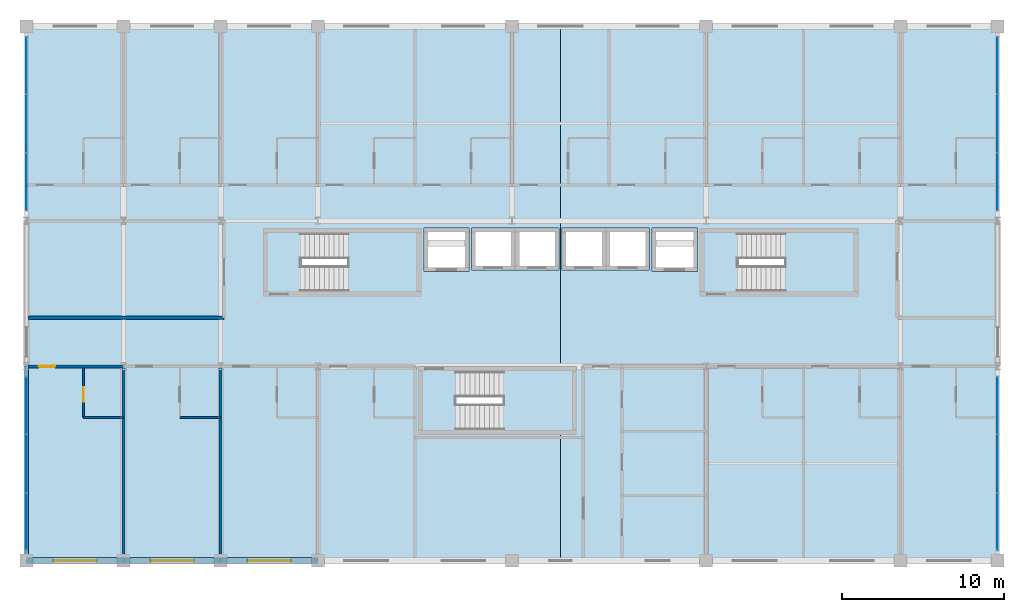
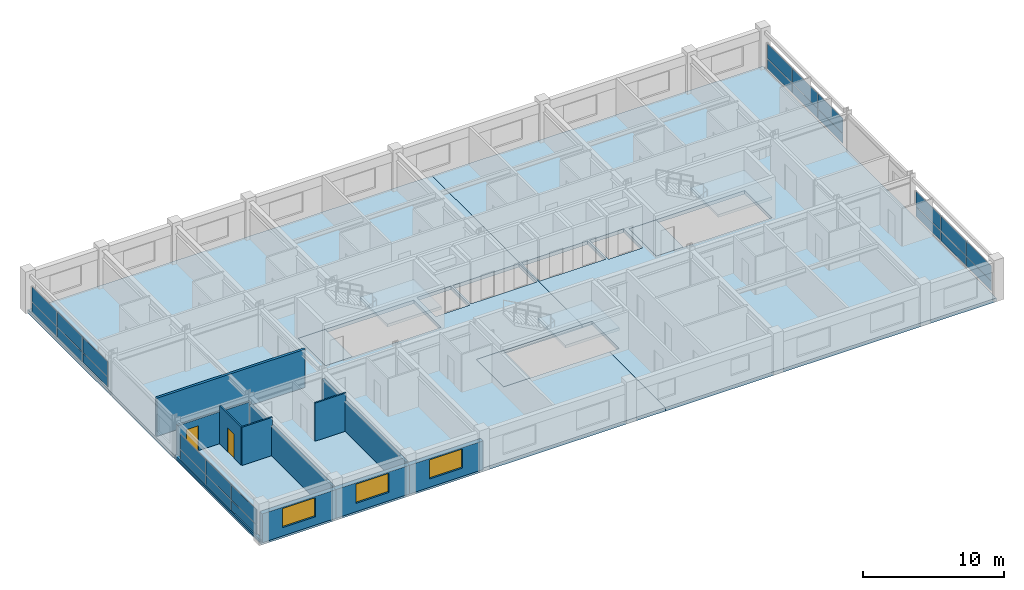
# One storey, part 20 of 26: 24 plates, 11 walls, 8 slabs, 3 windows, 2 doors, 5 openings, 7 elements without a shape of their own.
"""IFC4 building model written with IfcOpenShell, lengths in metres."""

from ifc_helpers import new_model, si_unit, direction, frame, frame_2d, origin, origin_2d, place, context, subcontext, project, spatial, polyline, rectangle, outline, extrude, material, layer, layer_set, type_object, element, fill, aggregate, save


model = new_model("IFC4")

# Units and contexts
model_context = context("Model", 3, precision=1e-05, world=origin(), true_north=direction((0.0, 1.0)))
body_context = subcontext(model_context, "Body", "Model", "MODEL_VIEW")
ifc_project = project(units=[si_unit("LENGTHUNIT", "METRE"), si_unit("AREAUNIT", "SQUARE_METRE"), si_unit("VOLUMEUNIT", "CUBIC_METRE"), si_unit("PLANEANGLEUNIT", "RADIAN"), si_unit("MASSUNIT", "GRAM", prefix="KILO")], contexts=[model_context])

# Site, building, storey
site_placement = place(None, origin())
site = spatial("IfcSite", under=ifc_project, at=site_placement, CompositionType="ELEMENT")
building_placement = place(site_placement, origin())
building = spatial("IfcBuilding", under=site, at=building_placement, Name="Kaldorvane Square Convention Centre", CompositionType="ELEMENT")
storey_placement = place(building_placement, frame((0.0, 0.0, 45.600006103515625)))
storey = spatial("IfcBuildingStorey", under=building, at=storey_placement, Name="L10", CompositionType="ELEMENT", Elevation=45.600006103515625)

# Curtain wall, plates
ifc_material_1 = material(Name="Anodized Aluminum and Low-E Insulated Glazing", Category="aluminium")
curtain_wall_type_1 = type_object("IfcCurtainWallType", Name="CW-UNI-HTL-A", PredefinedType="USERDEFINED", material=ifc_material_1)
curtain_wall_1_placement = place(storey_placement, origin())
curtain_wall_1 = element("IfcCurtainWall", 1, at=curtain_wall_1_placement, inside=storey, type_object=curtain_wall_type_1, Name="Curtain Wall CW-10 (L10)", ObjectType="UNITISED GLAZING", PredefinedType="USERDEFINED")
ifc_layer_1 = layer(ifc_material_1, 0.0240020751953125)
ifc_layer_set_1 = layer_set([ifc_layer_1], Name="Anodized Aluminum and Low-E Insulated Glazing")
plate_type_1 = type_object("IfcPlateType", Name="CW-PNL-11", PredefinedType="CURTAIN_PANEL", material=ifc_layer_set_1)
plate_1_placement = place(storey_placement, frame((84.0, 86.41499328613281, 0.204986572265625), z_axis=(0.0, 0.0, 1.0), x_axis=(0.0, 1.0, 0.0)))
plate_1 = element("IfcPlate", 2, at=plate_1_placement, type_object=plate_type_1, Name="CW-10 panel 1.1", PredefinedType="CURTAIN_PANEL", context=body_context, shape_type="SweptSolid", body=[
    extrude(rectangle(XDim=3.5099945068359375, YDim=0.0240020751953125, at=origin_2d()), origin(), (0.0, 0.0, 1.0), 0.8175048828125),
])
plate_2_placement = place(storey_placement, frame((84.0, 86.41499328613281, 1.0774993896484375), z_axis=(0.0, 0.0, 1.0), x_axis=(0.0, 1.0, 0.0)))
plate_2 = element("IfcPlate", 3, at=plate_2_placement, type_object=plate_type_1, Name="CW-10 panel 1.2", PredefinedType="CURTAIN_PANEL", context=body_context, shape_type="SweptSolid", body=[
    extrude(rectangle(XDim=3.5099945068359375, YDim=0.0240020751953125, at=origin_2d()), origin(), (0.0, 0.0, 1.0), 1.277496337890625),
])
plate_3_placement = place(storey_placement, frame((84.0, 90.0, 0.204986572265625), z_axis=(0.0, 0.0, 1.0), x_axis=(0.0, 1.0, 0.0)))
plate_3 = element("IfcPlate", 4, at=plate_3_placement, type_object=plate_type_1, Name="CW-10 panel 2.1", PredefinedType="CURTAIN_PANEL", context=body_context, shape_type="SweptSolid", body=[
    extrude(rectangle(XDim=3.5399932861328125, YDim=0.0240020751953125, at=origin_2d()), origin(), (0.0, 0.0, 1.0), 0.8175048828125),
])
plate_4_placement = place(storey_placement, frame((84.0, 90.0, 1.0774993896484375), z_axis=(0.0, 0.0, 1.0), x_axis=(0.0, 1.0, 0.0)))
plate_4 = element("IfcPlate", 5, at=plate_4_placement, type_object=plate_type_1, Name="CW-10 panel 2.2", PredefinedType="CURTAIN_PANEL", context=body_context, shape_type="SweptSolid", body=[
    extrude(rectangle(XDim=3.5399932861328125, YDim=0.0240020751953125, at=origin_2d()), origin(), (0.0, 0.0, 1.0), 1.277496337890625),
])
plate_5_placement = place(storey_placement, frame((84.0, 93.58500671386719, 0.204986572265625), z_axis=(0.0, 0.0, 1.0), x_axis=(0.0, 1.0, 0.0)))
plate_5 = element("IfcPlate", 6, at=plate_5_placement, type_object=plate_type_1, Name="CW-10 panel 3.1", PredefinedType="CURTAIN_PANEL", context=body_context, shape_type="SweptSolid", body=[
    extrude(rectangle(XDim=3.5099945068359375, YDim=0.0240020751953125, at=origin_2d()), origin(), (0.0, 0.0, 1.0), 0.8175048828125),
])
plate_6_placement = place(storey_placement, frame((84.0, 93.58500671386719, 1.0774993896484375), z_axis=(0.0, 0.0, 1.0), x_axis=(0.0, 1.0, 0.0)))
plate_6 = element("IfcPlate", 7, at=plate_6_placement, type_object=plate_type_1, Name="CW-10 panel 3.2", PredefinedType="CURTAIN_PANEL", context=body_context, shape_type="SweptSolid", body=[
    extrude(rectangle(XDim=3.5099945068359375, YDim=0.0240020751953125, at=origin_2d()), origin(), (0.0, 0.0, 1.0), 1.277496337890625),
])
aggregate(curtain_wall_1, [plate_1, plate_2, plate_3, plate_4, plate_5, plate_6])

curtain_wall_2_placement = place(storey_placement, origin())
curtain_wall_2 = element("IfcCurtainWall", 8, at=curtain_wall_2_placement, inside=storey, type_object=curtain_wall_type_1, Name="Curtain Wall CW-10 (L10)", ObjectType="UNITISED GLAZING", PredefinedType="USERDEFINED")
plate_7_placement = place(storey_placement, frame((84.0, 107.41499328613281, 0.204986572265625), z_axis=(0.0, 0.0, 1.0), x_axis=(0.0, 1.0, 0.0)))
plate_7 = element("IfcPlate", 9, at=plate_7_placement, type_object=plate_type_1, Name="CW-10 panel 1.1", PredefinedType="CURTAIN_PANEL", context=body_context, shape_type="SweptSolid", body=[
    extrude(rectangle(XDim=3.5099945068359375, YDim=0.0240020751953125, at=origin_2d()), origin(), (0.0, 0.0, 1.0), 0.8175048828125),
])
plate_8_placement = place(storey_placement, frame((84.0, 107.41499328613281, 1.0774993896484375), z_axis=(0.0, 0.0, 1.0), x_axis=(0.0, 1.0, 0.0)))
plate_8 = element("IfcPlate", 10, at=plate_8_placement, type_object=plate_type_1, Name="CW-10 panel 1.2", PredefinedType="CURTAIN_PANEL", context=body_context, shape_type="SweptSolid", body=[
    extrude(rectangle(XDim=3.5099945068359375, YDim=0.0240020751953125, at=origin_2d()), origin(), (0.0, 0.0, 1.0), 1.277496337890625),
])
plate_9_placement = place(storey_placement, frame((84.0, 111.0, 0.204986572265625), z_axis=(0.0, 0.0, 1.0), x_axis=(0.0, 1.0, 0.0)))
plate_9 = element("IfcPlate", 11, at=plate_9_placement, type_object=plate_type_1, Name="CW-10 panel 2.1", PredefinedType="CURTAIN_PANEL", context=body_context, shape_type="SweptSolid", body=[
    extrude(rectangle(XDim=3.5399932861328125, YDim=0.0240020751953125, at=origin_2d()), origin(), (0.0, 0.0, 1.0), 0.8175048828125),
])
plate_10_placement = place(storey_placement, frame((84.0, 111.0, 1.0774993896484375), z_axis=(0.0, 0.0, 1.0), x_axis=(0.0, 1.0, 0.0)))
plate_10 = element("IfcPlate", 12, at=plate_10_placement, type_object=plate_type_1, Name="CW-10 panel 2.2", PredefinedType="CURTAIN_PANEL", context=body_context, shape_type="SweptSolid", body=[
    extrude(rectangle(XDim=3.5399932861328125, YDim=0.0240020751953125, at=origin_2d()), origin(), (0.0, 0.0, 1.0), 1.277496337890625),
])
plate_11_placement = place(storey_placement, frame((84.0, 114.58500671386719, 0.204986572265625), z_axis=(0.0, 0.0, 1.0), x_axis=(0.0, 1.0, 0.0)))
plate_11 = element("IfcPlate", 13, at=plate_11_placement, type_object=plate_type_1, Name="CW-10 panel 3.1", PredefinedType="CURTAIN_PANEL", context=body_context, shape_type="SweptSolid", body=[
    extrude(rectangle(XDim=3.5099945068359375, YDim=0.0240020751953125, at=origin_2d()), origin(), (0.0, 0.0, 1.0), 0.8175048828125),
])
plate_12_placement = place(storey_placement, frame((84.0, 114.58500671386719, 1.0774993896484375), z_axis=(0.0, 0.0, 1.0), x_axis=(0.0, 1.0, 0.0)))
plate_12 = element("IfcPlate", 14, at=plate_12_placement, type_object=plate_type_1, Name="CW-10 panel 3.2", PredefinedType="CURTAIN_PANEL", context=body_context, shape_type="SweptSolid", body=[
    extrude(rectangle(XDim=3.5099945068359375, YDim=0.0240020751953125, at=origin_2d()), origin(), (0.0, 0.0, 1.0), 1.277496337890625),
])
aggregate(curtain_wall_2, [plate_7, plate_8, plate_9, plate_10, plate_11, plate_12])

curtain_wall_type_2 = type_object("IfcCurtainWallType", Name="CW-UNI-HTL-B", PredefinedType="USERDEFINED", material=ifc_material_1)
curtain_wall_3_placement = place(storey_placement, origin())
curtain_wall_3 = element("IfcCurtainWall", 15, at=curtain_wall_3_placement, inside=storey, type_object=curtain_wall_type_2, Name="Curtain Wall CW-11 (L10)", ObjectType="UNITISED GLAZING", PredefinedType="USERDEFINED")
ifc_layer_2 = layer(ifc_material_1, 0.0460052490234375)
ifc_layer_set_2 = layer_set([ifc_layer_2], Name="Anodized Aluminum and Low-E Insulated Glazing")
plate_type_2 = type_object("IfcPlateType", Name="CW-PNL-12", PredefinedType="CURTAIN_PANEL", material=ifc_layer_set_2)
plate_13_placement = place(storey_placement, frame((24.0, 93.58500671386719, 0.204986572265625), z_axis=(0.0, 0.0, 1.0), x_axis=(0.0, -1.0, 0.0)))
plate_13 = element("IfcPlate", 16, at=plate_13_placement, type_object=plate_type_2, Name="CW-11 panel 1.1", PredefinedType="CURTAIN_PANEL", context=body_context, shape_type="SweptSolid", body=[
    extrude(rectangle(XDim=3.5099945068359375, YDim=0.0460052490234375, at=origin_2d()), origin(), (0.0, 0.0, 1.0), 0.8175048828125),
])
plate_14_placement = place(storey_placement, frame((24.0, 93.58500671386719, 1.0774993896484375), z_axis=(0.0, 0.0, 1.0), x_axis=(0.0, -1.0, 0.0)))
plate_14 = element("IfcPlate", 17, at=plate_14_placement, type_object=plate_type_2, Name="CW-11 panel 1.2", PredefinedType="CURTAIN_PANEL", context=body_context, shape_type="SweptSolid", body=[
    extrude(rectangle(XDim=3.5099945068359375, YDim=0.0460052490234375, at=origin_2d()), origin(), (0.0, 0.0, 1.0), 1.277496337890625),
])
plate_15_placement = place(storey_placement, frame((24.0, 90.0, 0.204986572265625), z_axis=(0.0, 0.0, 1.0), x_axis=(0.0, -1.0, 0.0)))
plate_15 = element("IfcPlate", 18, at=plate_15_placement, type_object=plate_type_2, Name="CW-11 panel 2.1", PredefinedType="CURTAIN_PANEL", context=body_context, shape_type="SweptSolid", body=[
    extrude(rectangle(XDim=3.5399932861328125, YDim=0.0460052490234375, at=origin_2d()), origin(), (0.0, 0.0, 1.0), 0.8175048828125),
])
plate_16_placement = place(storey_placement, frame((24.0, 90.0, 1.0774993896484375), z_axis=(0.0, 0.0, 1.0), x_axis=(0.0, -1.0, 0.0)))
plate_16 = element("IfcPlate", 19, at=plate_16_placement, type_object=plate_type_2, Name="CW-11 panel 2.2", PredefinedType="CURTAIN_PANEL", context=body_context, shape_type="SweptSolid", body=[
    extrude(rectangle(XDim=3.5399932861328125, YDim=0.0460052490234375, at=origin_2d()), origin(), (0.0, 0.0, 1.0), 1.277496337890625),
])
plate_17_placement = place(storey_placement, frame((24.0, 86.41499328613281, 0.204986572265625), z_axis=(0.0, 0.0, 1.0), x_axis=(0.0, -1.0, 0.0)))
plate_17 = element("IfcPlate", 20, at=plate_17_placement, type_object=plate_type_2, Name="CW-11 panel 3.1", PredefinedType="CURTAIN_PANEL", context=body_context, shape_type="SweptSolid", body=[
    extrude(rectangle(XDim=3.5099945068359375, YDim=0.0460052490234375, at=origin_2d()), origin(), (0.0, 0.0, 1.0), 0.8175048828125),
])
plate_18_placement = place(storey_placement, frame((24.0, 86.41499328613281, 1.0774993896484375), z_axis=(0.0, 0.0, 1.0), x_axis=(0.0, -1.0, 0.0)))
plate_18 = element("IfcPlate", 21, at=plate_18_placement, type_object=plate_type_2, Name="CW-11 panel 3.2", PredefinedType="CURTAIN_PANEL", context=body_context, shape_type="SweptSolid", body=[
    extrude(rectangle(XDim=3.5099945068359375, YDim=0.0460052490234375, at=origin_2d()), origin(), (0.0, 0.0, 1.0), 1.277496337890625),
])
aggregate(curtain_wall_3, [plate_13, plate_14, plate_15, plate_16, plate_17, plate_18])

curtain_wall_4_placement = place(storey_placement, origin())
curtain_wall_4 = element("IfcCurtainWall", 22, at=curtain_wall_4_placement, inside=storey, type_object=curtain_wall_type_2, Name="Curtain Wall CW-11 (L10)", ObjectType="UNITISED GLAZING", PredefinedType="USERDEFINED")
plate_19_placement = place(storey_placement, frame((24.0, 114.58500671386719, 0.204986572265625), z_axis=(0.0, 0.0, 1.0), x_axis=(0.0, -1.0, 0.0)))
plate_19 = element("IfcPlate", 23, at=plate_19_placement, type_object=plate_type_2, Name="CW-11 panel 1.1", PredefinedType="CURTAIN_PANEL", context=body_context, shape_type="SweptSolid", body=[
    extrude(rectangle(XDim=3.5099945068359375, YDim=0.0460052490234375, at=origin_2d()), origin(), (0.0, 0.0, 1.0), 0.8175048828125),
])
plate_20_placement = place(storey_placement, frame((24.0, 114.58500671386719, 1.0774993896484375), z_axis=(0.0, 0.0, 1.0), x_axis=(0.0, -1.0, 0.0)))
plate_20 = element("IfcPlate", 24, at=plate_20_placement, type_object=plate_type_2, Name="CW-11 panel 1.2", PredefinedType="CURTAIN_PANEL", context=body_context, shape_type="SweptSolid", body=[
    extrude(rectangle(XDim=3.5099945068359375, YDim=0.0460052490234375, at=origin_2d()), origin(), (0.0, 0.0, 1.0), 1.277496337890625),
])
plate_21_placement = place(storey_placement, frame((24.0, 111.0, 0.204986572265625), z_axis=(0.0, 0.0, 1.0), x_axis=(0.0, -1.0, 0.0)))
plate_21 = element("IfcPlate", 25, at=plate_21_placement, type_object=plate_type_2, Name="CW-11 panel 2.1", PredefinedType="CURTAIN_PANEL", context=body_context, shape_type="SweptSolid", body=[
    extrude(rectangle(XDim=3.5399932861328125, YDim=0.0460052490234375, at=origin_2d()), origin(), (0.0, 0.0, 1.0), 0.8175048828125),
])
plate_22_placement = place(storey_placement, frame((24.0, 111.0, 1.0774993896484375), z_axis=(0.0, 0.0, 1.0), x_axis=(0.0, -1.0, 0.0)))
plate_22 = element("IfcPlate", 26, at=plate_22_placement, type_object=plate_type_2, Name="CW-11 panel 2.2", PredefinedType="CURTAIN_PANEL", context=body_context, shape_type="SweptSolid", body=[
    extrude(rectangle(XDim=3.5399932861328125, YDim=0.0460052490234375, at=origin_2d()), origin(), (0.0, 0.0, 1.0), 1.277496337890625),
])
plate_23_placement = place(storey_placement, frame((24.0, 107.41499328613281, 0.204986572265625), z_axis=(0.0, 0.0, 1.0), x_axis=(0.0, -1.0, 0.0)))
plate_23 = element("IfcPlate", 27, at=plate_23_placement, type_object=plate_type_2, Name="CW-11 panel 3.1", PredefinedType="CURTAIN_PANEL", context=body_context, shape_type="SweptSolid", body=[
    extrude(rectangle(XDim=3.5099945068359375, YDim=0.0460052490234375, at=origin_2d()), origin(), (0.0, 0.0, 1.0), 0.8175048828125),
])
plate_24_placement = place(storey_placement, frame((24.0, 107.41499328613281, 1.0774993896484375), z_axis=(0.0, 0.0, 1.0), x_axis=(0.0, -1.0, 0.0)))
plate_24 = element("IfcPlate", 28, at=plate_24_placement, type_object=plate_type_2, Name="CW-11 panel 3.2", PredefinedType="CURTAIN_PANEL", context=body_context, shape_type="SweptSolid", body=[
    extrude(rectangle(XDim=3.5099945068359375, YDim=0.0460052490234375, at=origin_2d()), origin(), (0.0, 0.0, 1.0), 1.277496337890625),
])
aggregate(curtain_wall_4, [plate_19, plate_20, plate_21, plate_22, plate_23, plate_24])

# Slabs
ifc_material_2 = material(Name="Concrete f'c = 42 MPa (Normalweight)", Category="concrete")
ifc_layer_3 = layer(ifc_material_2, 0.279998779296875)
ifc_layer_set_3 = layer_set([ifc_layer_3], Name="Concrete f'c = 42 MPa (Normalweight)")
slab_type_1 = type_object("IfcSlabType", Name="SL-FLND-280", PredefinedType="FLOOR", material=ifc_layer_set_3)
slab_1_placement = place(storey_placement, frame((0.0, 0.0, -0.279998779296875)))
element("IfcSlab", 29, at=slab_1_placement, inside=storey, type_object=slab_type_1, Name="Tower Exit Stair T1 Floor Landing (L10)", PredefinedType="FLOOR", context=body_context, shape_type="SweptSolid", body=[
    extrude(outline(polyline([(38.779998779296875, 100.49000549316406), (40.97999572753906, 100.49000549316406), (40.97999572753906, 104.3699951171875), (38.779998779296875, 104.3699951171875), (38.779998779296875, 100.49000549316406)])), origin(), (0.0, 0.0, 1.0), 0.279998779296875),
])
slab_2_placement = place(storey_placement, frame((0.0, 0.0, -0.279998779296875)))
element("IfcSlab", 30, at=slab_2_placement, inside=storey, type_object=slab_type_1, Name="Tower Exit Stair T2 Floor Landing (L10)", PredefinedType="FLOOR", context=body_context, shape_type="SweptSolid", body=[
    extrude(outline(polyline([(65.77999877929688, 100.49000549316406), (67.97999572753906, 100.49000549316406), (67.97999572753906, 104.3699951171875), (65.77999877929688, 104.3699951171875), (65.77999877929688, 100.49000549316406)])), origin(), (0.0, 0.0, 1.0), 0.279998779296875),
])
slab_3_placement = place(storey_placement, frame((0.0, 0.0, -0.279998779296875)))
element("IfcSlab", 31, at=slab_3_placement, inside=storey, type_object=slab_type_1, Name="Tower Exit Stair T3 Floor Landing (L10)", PredefinedType="FLOOR", context=body_context, shape_type="SweptSolid", body=[
    extrude(outline(polyline([(48.3800048828125, 91.94000244140625), (50.58000183105469, 91.94000244140625), (50.58000183105469, 95.82000732421875), (48.3800048828125, 95.82000732421875), (48.3800048828125, 91.94000244140625)])), origin(), (0.0, 0.0, 1.0), 0.279998779296875),
])
ifc_layer_4 = layer(ifc_material_2, 0.30999755859375)
ifc_layer_set_4 = layer_set([ifc_layer_4], Name="Concrete f'c = 42 MPa (Normalweight)")
slab_type_2 = type_object("IfcSlabType", Name="SL-HTL-250", PredefinedType="FLOOR", material=ifc_layer_set_4)
slab_4_placement = place(storey_placement, frame((0.0, 0.0, -0.3100128173828125)))
element("IfcSlab", 32, at=slab_4_placement, inside=storey, type_object=slab_type_2, Name="Hotel Tower Floor Slab L10-1.1", PredefinedType="FLOOR", context=body_context, shape_type="SweptSolid", body=[
    extrude(outline(polyline([(24.0, 117.0), (57.0, 117.0), (57.0, 95.82000732421875), (48.3800048828125, 95.82000732421875), (48.3800048828125, 91.94000244140625), (57.0, 91.94000244140625), (57.0, 84.0), (24.0, 84.0), (24.0, 117.0)]), holes=[polyline([(38.779998779296875, 104.3699951171875), (38.779998779296875, 100.49000549316406), (48.220001220703125, 100.49000549316406), (48.220001220703125, 104.3699951171875), (38.779998779296875, 104.3699951171875)]), polyline([(48.55000305175781, 104.55000305175781), (48.55000305175781, 101.85000610351562), (51.350006103515625, 101.85000610351562), (51.350006103515625, 104.55000305175781), (48.55000305175781, 104.55000305175781)]), polyline([(51.5, 104.55000305175781), (51.5, 101.94999694824219), (54.19999694824219, 101.94999694824219), (56.899993896484375, 101.94999694824219), (56.899993896484375, 104.55000305175781), (54.19999694824219, 104.55000305175781), (51.5, 104.55000305175781)])]), origin(), (0.0, 0.0, 1.0), 0.3100128173828125),
])
slab_5_placement = place(storey_placement, frame((0.0, 0.0, -0.3100128173828125)))
element("IfcSlab", 33, at=slab_5_placement, inside=storey, type_object=slab_type_2, Name="Hotel Tower Floor Slab L10-2.1", PredefinedType="FLOOR", context=body_context, shape_type="SweptSolid", body=[
    extrude(outline(polyline([(84.0, 117.0), (84.0, 84.0), (57.0, 84.0), (57.0, 91.94000244140625), (57.82000732421875, 91.94000244140625), (57.82000732421875, 95.82000732421875), (57.0, 95.82000732421875), (57.0, 117.0), (84.0, 117.0)]), holes=[polyline([(65.77999877929688, 104.3699951171875), (65.77999877929688, 100.49000549316406), (75.22000122070312, 100.49000549316406), (75.22000122070312, 104.3699951171875), (65.77999877929688, 104.3699951171875)]), polyline([(62.649993896484375, 104.55000305175781), (62.649993896484375, 101.85000610351562), (65.44999694824219, 101.85000610351562), (65.44999694824219, 104.55000305175781), (62.649993896484375, 104.55000305175781)]), polyline([(57.100006103515625, 104.55000305175781), (57.100006103515625, 101.94999694824219), (59.80000305175781, 101.94999694824219), (62.5, 101.94999694824219), (62.5, 104.55000305175781), (59.80000305175781, 104.55000305175781), (57.100006103515625, 104.55000305175781)])]), origin(), (0.0, 0.0, 1.0), 0.3100128173828125),
])

# Stair, slab
stair_type = type_object("IfcStairType", Name="ST-DL-1600-3600", PredefinedType="HALF_TURN_STAIR", material=ifc_material_2)
stair_1_placement = place(storey_placement, origin())
stair_1 = element("IfcStair", 34, at=stair_1_placement, inside=storey, type_object=stair_type, Name="Tower Exit Stair T1 (L10)", PredefinedType="HALF_TURN_STAIR")
ifc_layer_5 = layer(ifc_material_2, 0.2400054931640625)
ifc_layer_set_5 = layer_set([ifc_layer_5], Name="Concrete f'c = 42 MPa (Normalweight)")
slab_type_3 = type_object("IfcSlabType", Name="SL-LAND-240", PredefinedType="LANDING", material=ifc_layer_set_5)
slab_6_placement = place(storey_placement, frame((0.0, 0.0, 1.55999755859375)))
slab_6 = element("IfcSlab", 35, at=slab_6_placement, type_object=slab_type_3, Name="Tower Exit Stair T1 Half Landing (L10)", PredefinedType="LANDING", context=body_context, shape_type="SweptSolid", body=[
    extrude(outline(polyline([(43.82000732421875, 100.49000549316406), (48.220001220703125, 100.49000549316406), (48.220001220703125, 104.3699951171875), (43.82000732421875, 104.3699951171875), (43.82000732421875, 100.49000549316406)])), origin(), (0.0, 0.0, 1.0), 0.239990234375),
])
aggregate(stair_1, [slab_6])

stair_2_placement = place(storey_placement, origin())
stair_2 = element("IfcStair", 36, at=stair_2_placement, inside=storey, type_object=stair_type, Name="Tower Exit Stair T2 (L10)", PredefinedType="HALF_TURN_STAIR")
slab_7_placement = place(storey_placement, frame((0.0, 0.0, 1.55999755859375)))
slab_7 = element("IfcSlab", 37, at=slab_7_placement, type_object=slab_type_3, Name="Tower Exit Stair T2 Half Landing (L10)", PredefinedType="LANDING", context=body_context, shape_type="SweptSolid", body=[
    extrude(outline(polyline([(70.82000732421875, 100.49000549316406), (75.22000122070312, 100.49000549316406), (75.22000122070312, 104.3699951171875), (70.82000732421875, 104.3699951171875), (70.82000732421875, 100.49000549316406)])), origin(), (0.0, 0.0, 1.0), 0.239990234375),
])
aggregate(stair_2, [slab_7])

stair_3_placement = place(storey_placement, origin())
stair_3 = element("IfcStair", 38, at=stair_3_placement, inside=storey, type_object=stair_type, Name="Tower Exit Stair T3 (L10)", PredefinedType="HALF_TURN_STAIR")
slab_8_placement = place(storey_placement, frame((0.0, 0.0, 1.55999755859375)))
slab_8 = element("IfcSlab", 39, at=slab_8_placement, type_object=slab_type_3, Name="Tower Exit Stair T3 Half Landing (L10)", PredefinedType="LANDING", context=body_context, shape_type="SweptSolid", body=[
    extrude(outline(polyline([(53.41999816894531, 91.94000244140625), (57.82000732421875, 91.94000244140625), (57.82000732421875, 95.82000732421875), (53.41999816894531, 95.82000732421875), (53.41999816894531, 91.94000244140625)])), origin(), (0.0, 0.0, 1.0), 0.239990234375),
])
aggregate(stair_3, [slab_8])

# Wall, opening, door
ifc_material_3 = material(Name="Fire-Rated Gypsum Board on Acoustic Steel Studs", Category="steel")
ifc_layer_6 = layer(ifc_material_3, 0.125)
ifc_layer_set_6 = layer_set([ifc_layer_6], Name="Fire-Rated Gypsum Board on Acoustic Steel Studs")
wall_type_1 = type_object("IfcWallType", Name="WL-BATH-125", PredefinedType="PARTITIONING", material=ifc_layer_set_6)
wall_1_placement = place(storey_placement, frame((27.520004272460938, 92.85000610351562, 0.0), z_axis=(0.0, 0.0, 1.0), x_axis=(0.0, 1.0, 0.0)))
wall_1 = element("IfcWall", 40, at=wall_1_placement, inside=storey, type_object=wall_type_1, Name="En-Suite 1011 West Wall", PredefinedType="PARTITIONING", context=body_context, shape_type="SweptSolid", body=[
    extrude(rectangle(XDim=3.05999755859375, YDim=0.125, at=frame_2d((1.529998779296875, 0.0))), origin(), (0.0, 0.0, 1.0), 3.2899932861328125),
])
opening_1_placement = place(wall_1_placement, frame((0.9499969482421875, 0.0, 0.0)))
opening_1 = element("IfcOpeningElement", 41, at=opening_1_placement, cuts=wall_1, Name="Opening ID-12", PredefinedType="OPENING", context=body_context, shape_type="SweptSolid", body=[
    extrude(rectangle(XDim=0.9199981689453125, YDim=2.100006103515625, at=frame_2d((0.459991455078125, 1.0500030517578125))), frame((0.0, 0.0774993896484375, 0.0), z_axis=(0.0, -1.0, 0.0), x_axis=(1.0, 0.0, 0.0)), (0.0, 0.0, 1.0), 0.154998779296875),
])
ifc_material_4 = material(Name="Architectural Solid-Core White Oak")
door_type_1 = type_object("IfcDoorType", Name="DR-BATH-0920X2100", OperationType="SINGLE_SWING_RIGHT", PredefinedType="DOOR", material=ifc_material_4)
door_1_placement = place(opening_1_placement, origin())
door_1 = element("IfcDoor", 42, at=door_1_placement, inside=storey, type_object=door_type_1, Name="En-Suite Bathroom 1011 Door", OperationType="SINGLE_SWING_RIGHT", OverallHeight=2.100006103515625, OverallWidth=0.9199981689453125, PredefinedType="DOOR", context=body_context, shape_type="SweptSolid", body=[
    extrude(rectangle(XDim=0.9199981689453125, YDim=2.100006103515625, at=frame_2d((0.459991455078125, 1.0500030517578125))), frame((0.0, 0.024993896484375, 0.0), z_axis=(0.0, -1.0, 0.0), x_axis=(1.0, 0.0, 0.0)), (0.0, 0.0, 1.0), 0.0500030517578125),
])
fill(opening_1, door_1)

# Walls
wall_2_placement = place(storey_placement, frame((27.520004272460938, 92.85000610351562, 0.0), z_axis=(0.0, 0.0, 1.0), x_axis=(1.0, 0.0, 0.0)))
element("IfcWall", 43, at=wall_2_placement, inside=storey, type_object=wall_type_1, Name="En-Suite 1011 South Wall", PredefinedType="PARTITIONING", context=body_context, shape_type="SweptSolid", body=[
    extrude(rectangle(XDim=2.4799957275390625, YDim=0.125, at=frame_2d((1.239990234375, 0.0))), origin(), (0.0, 0.0, 1.0), 3.2899932861328125),
])
wall_3_placement = place(storey_placement, frame((33.47999572753906, 92.85000610351562, 0.0), z_axis=(0.0, 0.0, 1.0), x_axis=(1.0, 0.0, 0.0)))
element("IfcWall", 44, at=wall_3_placement, inside=storey, type_object=wall_type_1, Name="En-Suite 1012 South Wall", PredefinedType="PARTITIONING", context=body_context, shape_type="SweptSolid", body=[
    extrude(rectangle(XDim=2.5200042724609375, YDim=0.125, at=frame_2d((1.260009765625, 0.0))), origin(), (0.0, 0.0, 1.0), 3.2899932861328125),
])
ifc_layer_7 = layer(ifc_material_3, 0.1999969482421875)
ifc_layer_set_7 = layer_set([ifc_layer_7], Name="Fire-Rated Gypsum Board on Acoustic Steel Studs")
wall_type_2 = type_object("IfcWallType", Name="WL-CORR-200", PredefinedType="PARTITIONING", material=ifc_layer_set_7)
wall_4_placement = place(storey_placement, frame((24.085006713867188, 99.0, 0.0), z_axis=(0.0, 0.0, 1.0), x_axis=(1.0, 0.0, 0.0)))
element("IfcWall", 45, at=wall_4_placement, inside=storey, type_object=wall_type_2, Name="West Sunset Sitting Alcove (L10) S Wall", PredefinedType="PARTITIONING", context=body_context, shape_type="SweptSolid", body=[
    extrude(rectangle(XDim=12.114990234375, YDim=0.1999969482421875, at=frame_2d((6.0574951171875, 0.0))), origin(), (0.0, 0.0, 1.0), 3.2899932861328125),
])

# Wall, opening, window
ifc_layer_8 = layer(ifc_material_2, 0.350006103515625)
ifc_layer_set_8 = layer_set([ifc_layer_8], Name="Concrete f'c = 42 MPa (Normalweight)")
wall_type_3 = type_object("IfcWallType", Name="WL-EXT-350", PredefinedType="STANDARD", material=ifc_layer_set_8)
wall_5_placement = place(storey_placement, frame((24.0, 84.0, 0.0), z_axis=(0.0, 0.0, 1.0), x_axis=(1.0, 0.0, 0.0)))
wall_5 = element("IfcWall", 46, at=wall_5_placement, inside=storey, type_object=wall_type_3, Name="Hotel S Brutalist Facade Wall (L10)", PredefinedType="STANDARD", context=body_context, shape_type="SweptSolid", body=[
    extrude(rectangle(XDim=6.0, YDim=0.350006103515625, at=frame_2d((3.0, 0.0))), origin(), (0.0, 0.0, 1.0), 2.485992431640625),
])
opening_2_placement = place(wall_5_placement, frame((1.649993896484375, 0.0, 0.720001220703125)))
opening_2 = element("IfcOpeningElement", 47, at=opening_2_placement, cuts=wall_5, Name="Opening W-03", PredefinedType="OPENING", context=body_context, shape_type="SweptSolid", body=[
    extrude(rectangle(XDim=2.6999969482421875, YDim=1.649993896484375, at=frame_2d((1.350006103515625, 0.8249969482421875))), frame((0.0, 0.19000244140625, 0.0), z_axis=(0.0, -1.0, 0.0), x_axis=(1.0, 0.0, 0.0)), (0.0, 0.0, 1.0), 0.3800048828125),
])
window_type = type_object("IfcWindowType", Name="WN-HTL-2700X1650", PartitioningType="TRIPLE_PANEL_VERTICAL", PredefinedType="WINDOW", material=ifc_material_1)
window_1_placement = place(opening_2_placement, origin())
window_1 = element("IfcWindow", 48, at=window_1_placement, inside=storey, type_object=window_type, Name="Hotel S Window (L10)", OverallHeight=1.649993896484375, OverallWidth=2.6999969482421875, PartitioningType="TRIPLE_PANEL_VERTICAL", PredefinedType="WINDOW", context=body_context, shape_type="SweptSolid", body=[
    extrude(rectangle(XDim=2.6999969482421875, YDim=1.649993896484375, at=frame_2d((1.350006103515625, 0.8249969482421875))), frame((0.0, 0.029998779296875, 0.0), z_axis=(0.0, -1.0, 0.0), x_axis=(1.0, 0.0, 0.0)), (0.0, 0.0, 1.0), 0.05999755859375),
])
fill(opening_2, window_1)

wall_6_placement = place(storey_placement, frame((30.0, 84.0, 0.0), z_axis=(0.0, 0.0, 1.0), x_axis=(1.0, 0.0, 0.0)))
wall_6 = element("IfcWall", 49, at=wall_6_placement, inside=storey, type_object=wall_type_3, Name="Hotel S Brutalist Facade Wall (L10)", PredefinedType="STANDARD", context=body_context, shape_type="SweptSolid", body=[
    extrude(rectangle(XDim=6.0, YDim=0.350006103515625, at=frame_2d((3.0, 0.0))), origin(), (0.0, 0.0, 1.0), 2.485992431640625),
])
opening_3_placement = place(wall_6_placement, frame((1.649993896484375, 0.0, 0.720001220703125)))
opening_3 = element("IfcOpeningElement", 50, at=opening_3_placement, cuts=wall_6, Name="Opening W-03", PredefinedType="OPENING", context=body_context, shape_type="SweptSolid", body=[
    extrude(rectangle(XDim=2.6999969482421875, YDim=1.649993896484375, at=frame_2d((1.350006103515625, 0.8249969482421875))), frame((0.0, 0.19000244140625, 0.0), z_axis=(0.0, -1.0, 0.0), x_axis=(1.0, 0.0, 0.0)), (0.0, 0.0, 1.0), 0.3800048828125),
])
window_2_placement = place(opening_3_placement, origin())
window_2 = element("IfcWindow", 51, at=window_2_placement, inside=storey, type_object=window_type, Name="Hotel S Window (L10)", OverallHeight=1.649993896484375, OverallWidth=2.6999969482421875, PartitioningType="TRIPLE_PANEL_VERTICAL", PredefinedType="WINDOW", context=body_context, shape_type="SweptSolid", body=[
    extrude(rectangle(XDim=2.6999969482421875, YDim=1.649993896484375, at=frame_2d((1.350006103515625, 0.8249969482421875))), frame((0.0, 0.029998779296875, 0.0), z_axis=(0.0, -1.0, 0.0), x_axis=(1.0, 0.0, 0.0)), (0.0, 0.0, 1.0), 0.05999755859375),
])
fill(opening_3, window_2)

wall_7_placement = place(storey_placement, frame((36.0, 84.0, 0.0), z_axis=(0.0, 0.0, 1.0), x_axis=(1.0, 0.0, 0.0)))
wall_7 = element("IfcWall", 52, at=wall_7_placement, inside=storey, type_object=wall_type_3, Name="Hotel S Brutalist Facade Wall (L10)", PredefinedType="STANDARD", context=body_context, shape_type="SweptSolid", body=[
    extrude(rectangle(XDim=6.0, YDim=0.350006103515625, at=frame_2d((3.0, 0.0))), origin(), (0.0, 0.0, 1.0), 2.485992431640625),
])
opening_4_placement = place(wall_7_placement, frame((1.649993896484375, 0.0, 0.720001220703125)))
opening_4 = element("IfcOpeningElement", 53, at=opening_4_placement, cuts=wall_7, Name="Opening W-03", PredefinedType="OPENING", context=body_context, shape_type="SweptSolid", body=[
    extrude(rectangle(XDim=2.6999969482421875, YDim=1.649993896484375, at=frame_2d((1.350006103515625, 0.8249969482421875))), frame((0.0, 0.19000244140625, 0.0), z_axis=(0.0, -1.0, 0.0), x_axis=(1.0, 0.0, 0.0)), (0.0, 0.0, 1.0), 0.3800048828125),
])
window_3_placement = place(opening_4_placement, origin())
window_3 = element("IfcWindow", 54, at=window_3_placement, inside=storey, type_object=window_type, Name="Hotel S Window (L10)", OverallHeight=1.649993896484375, OverallWidth=2.6999969482421875, PartitioningType="TRIPLE_PANEL_VERTICAL", PredefinedType="WINDOW", context=body_context, shape_type="SweptSolid", body=[
    extrude(rectangle(XDim=2.6999969482421875, YDim=1.649993896484375, at=frame_2d((1.350006103515625, 0.8249969482421875))), frame((0.0, 0.029998779296875, 0.0), z_axis=(0.0, -1.0, 0.0), x_axis=(1.0, 0.0, 0.0)), (0.0, 0.0, 1.0), 0.05999755859375),
])
fill(opening_4, window_3)

# Wall
ifc_material_5 = material(Name="Concrete f'c = 35 MPa (Normalweight)", Category="concrete")
ifc_layer_9 = layer(ifc_material_5, 0.220001220703125)
ifc_layer_set_9 = layer_set([ifc_layer_9], Name="Concrete f'c = 35 MPa (Normalweight)")
wall_type_4 = type_object("IfcWallType", Name="WL-PAR-220", PredefinedType="PARAPET", material=ifc_layer_set_9)
wall_8_placement = place(storey_placement, frame((24.0, 96.0, 0.0), z_axis=(0.0, 0.0, 1.0), x_axis=(0.0, -1.0, 0.0)))
element("IfcWall", 55, at=wall_8_placement, inside=storey, type_object=wall_type_4, Name="Hotel End Curtain-Wall Sill (L10)", PredefinedType="PARAPET", context=body_context, shape_type="SweptSolid", body=[
    extrude(rectangle(XDim=12.0, YDim=0.220001220703125, at=frame_2d((6.0, 0.0))), origin(), (0.0, 0.0, 1.0), 0.1999969482421875),
])

# Wall, opening, door
ifc_layer_10 = layer(ifc_material_3, 0.17999267578125)
ifc_layer_set_10 = layer_set([ifc_layer_10], Name="Fire-Rated Gypsum Board on Acoustic Steel Studs")
wall_type_5 = type_object("IfcWallType", Name="WL-UNIT-180", PredefinedType="PARTITIONING", material=ifc_layer_set_10)
wall_9_placement = place(storey_placement, frame((24.085006713867188, 96.0, 0.0), z_axis=(0.0, 0.0, 1.0), x_axis=(1.0, 0.0, 0.0)))
wall_9 = element("IfcWall", 56, at=wall_9_placement, inside=storey, type_object=wall_type_5, Name="Hotel Guest Room 1011 Corridor Wall", PredefinedType="PARTITIONING", context=body_context, shape_type="SweptSolid", body=[
    extrude(rectangle(XDim=5.9149932861328125, YDim=0.17999267578125, at=frame_2d((2.957489013671875, 0.0))), origin(), (0.0, 0.0, 1.0), 2.735992431640625),
])
opening_5_placement = place(wall_9_placement, frame((0.68499755859375, 0.0, 0.0)))
opening_5 = element("IfcOpeningElement", 57, at=opening_5_placement, cuts=wall_9, Name="Opening ID-10", PredefinedType="OPENING", context=body_context, shape_type="SweptSolid", body=[
    extrude(rectangle(XDim=1.0, YDim=2.149993896484375, at=frame_2d((0.5, 1.0749969482421875))), frame((0.0, 0.1049957275390625, 0.0), z_axis=(0.0, -1.0, 0.0), x_axis=(1.0, 0.0, 0.0)), (0.0, 0.0, 1.0), 0.209991455078125),
])
door_type_2 = type_object("IfcDoorType", Name="DR-GUEST-1000X2150", OperationType="SINGLE_SWING_LEFT", PredefinedType="DOOR", material=ifc_material_4)
door_2_placement = place(opening_5_placement, origin())
door_2 = element("IfcDoor", 58, at=door_2_placement, inside=storey, type_object=door_type_2, Name="Hotel Guest Room 1011 Entry Door", OperationType="SINGLE_SWING_LEFT", OverallHeight=2.149993896484375, OverallWidth=1.0, PredefinedType="DOOR", context=body_context, shape_type="SweptSolid", body=[
    extrude(rectangle(XDim=1.0, YDim=2.149993896484375, at=frame_2d((0.5, 1.0749969482421875))), frame((0.0, 0.024993896484375, 0.0), z_axis=(0.0, -1.0, 0.0), x_axis=(1.0, 0.0, 0.0)), (0.0, 0.0, 1.0), 0.0500030517578125),
])
fill(opening_5, door_2)

# Walls
for number, where, z_axis, x_axis, name in (
    (59, (30.0, 84.17500305175781, 0.0), (0.0, 0.0, 1.0), (0.0, 1.0, 0.0), "Guestroom Demising Wall 1011"),
    (60, (36.0, 84.17500305175781, 0.0), (0.0, 0.0, 1.0), (0.0, 1.0, 0.0), "Guestroom Demising Wall 1012"),
):
    element("IfcWall", number, at=place(storey_placement, frame(where, z_axis=z_axis, x_axis=x_axis)), inside=storey, type_object=wall_type_5, Name=name, PredefinedType="PARTITIONING", context=body_context, shape_type="SweptSolid", body=[
        extrude(rectangle(XDim=11.824996948242188, YDim=0.17999267578125, at=frame_2d((5.912506103515625, 0.0))), origin(), (0.0, 0.0, 1.0), 2.589996337890625),
    ])

save(model, "model.ifc")
